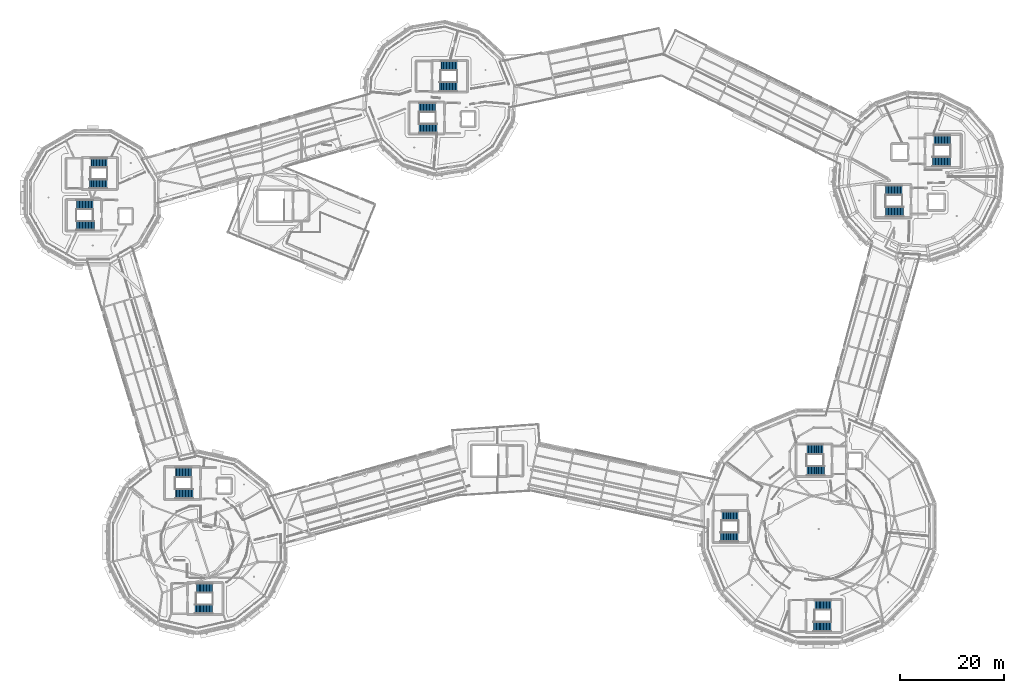
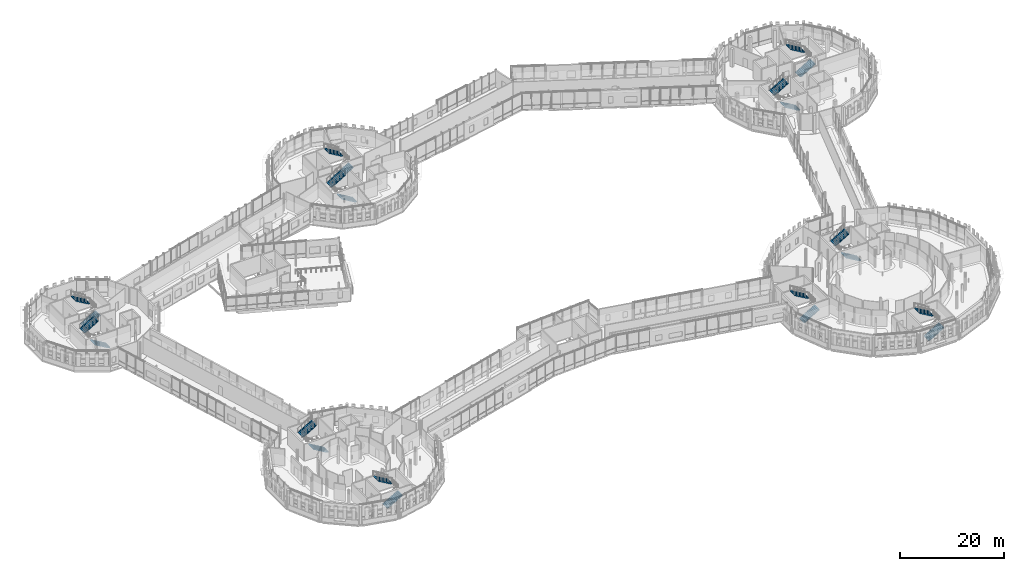
# One storey, part 104 of 125: 22 stair flights, 11 elements without a shape of their own.
"""IFC4 building model written with IfcOpenShell, lengths in metres."""

from ifc_helpers import new_model, si_unit, direction, frame, origin, place, context, subcontext, project, spatial, polyline, outline, extrude, material, type_object, element, aggregate, save


model = new_model("IFC4")

# Units and contexts
model_context = context("Model", 3, precision=1e-05, world=origin(), true_north=direction((0.0, 1.0)))
body_context = subcontext(model_context, "Body", "Model", "MODEL_VIEW")
ifc_project = project(units=[si_unit("LENGTHUNIT", "METRE"), si_unit("AREAUNIT", "SQUARE_METRE"), si_unit("VOLUMEUNIT", "CUBIC_METRE"), si_unit("PLANEANGLEUNIT", "RADIAN"), si_unit("MASSUNIT", "GRAM", prefix="KILO")], contexts=[model_context])

# Site, building, storey
site_placement = place(None, origin())
site = spatial("IfcSite", under=ifc_project, at=site_placement, CompositionType="ELEMENT")
building_placement = place(site_placement, origin())
building = spatial("IfcBuilding", under=site, at=building_placement, Name="Wrenclough Park School", CompositionType="ELEMENT")
storey_placement = place(building_placement, frame((0.0, 0.0, 4.199951171875)))
storey = spatial("IfcBuildingStorey", under=building, at=storey_placement, Name="L01", CompositionType="ELEMENT", Elevation=4.199951171875)

# Stair, stair flights
ifc_material = material(Name="Precast concrete C40/50", Category="concrete")
stair_type_1 = type_object("IfcStairType", Name="INT-ST-180-42", PredefinedType="HALF_TURN_STAIR", material=ifc_material)
stair_1_placement = place(storey_placement, origin())
stair_1 = element("IfcStair", 1, at=stair_1_placement, inside=storey, type_object=stair_type_1, Name="L01 escape stair ST-12", PredefinedType="HALF_TURN_STAIR")
stair_flight_type_1 = type_object("IfcStairFlightType", Name="INT-FL-180-168", PredefinedType="STRAIGHT", material=ifc_material)
stair_flight_1_placement = place(storey_placement, frame((136.659912109375, 24.5, 0.0), z_axis=(0.0, 0.0, 1.0), x_axis=(1.0, 0.0, 0.0)))
stair_flight_1 = element("IfcStairFlight", 2, at=stair_flight_1_placement, type_object=stair_flight_type_1, Name="ST-12 flight 1", NumberOfRisers=13, NumberOfTreads=12, PredefinedType="STRAIGHT", RiserHeight=0.168, TreadLength=0.285, context=body_context, shape_type="SweptSolid", body=[
    extrude(outline(polyline([(0.0, 0.0), (0.0, 0.16796875), (0.284912109375, 0.16796875), (0.284912109375, 0.3359375), (0.570068359375, 0.3359375), (0.570068359375, 0.50390625), (0.85498046875, 0.50390625), (0.85498046875, 0.672119140625), (1.139892578125, 0.672119140625), (1.139892578125, 0.840087890625), (1.425048828125, 0.840087890625), (1.425048828125, 1.008056640625), (1.7099609375, 1.008056640625), (1.7099609375, 1.176025390625), (1.9951171875, 1.176025390625), (1.9951171875, 1.343994140625), (2.280029296875, 1.343994140625), (2.280029296875, 1.511962890625), (2.56494140625, 1.511962890625), (2.56494140625, 1.679931640625), (2.85009765625, 1.679931640625), (2.85009765625, 1.847900390625), (3.135009765625, 1.847900390625), (3.135009765625, 2.01611328125), (3.419921875, 2.01611328125), (3.419921875, 2.18408203125), (3.419921875, 1.80712890625), (0.354248046875, 0.0), (0.0, 0.0)])), frame((0.0, 0.89990234375, 0.0), z_axis=(0.0, -1.0, 0.0), x_axis=(1.0, 0.0, 0.0)), (0.0, 0.0, 1.0), 1.800048828125),
])
stair_flight_2_placement = place(storey_placement, frame((140.080078125, 28.5, 2.18408203125), z_axis=(0.0, 0.0, 1.0), x_axis=(-1.0, 0.0, 0.0)))
stair_flight_2 = element("IfcStairFlight", 3, at=stair_flight_2_placement, type_object=stair_flight_type_1, Name="ST-12 flight 2", NumberOfRisers=12, NumberOfTreads=11, PredefinedType="STRAIGHT", RiserHeight=0.168, TreadLength=0.285, context=body_context, shape_type="SweptSolid", body=[
    extrude(outline(polyline([(0.0, 0.0), (0.0, 0.16796875), (0.284912109375, 0.16796875), (0.284912109375, 0.3359375), (0.570068359375, 0.3359375), (0.570068359375, 0.50390625), (0.85498046875, 0.50390625), (0.85498046875, 0.672119140625), (1.139892578125, 0.672119140625), (1.139892578125, 0.840087890625), (1.425048828125, 0.840087890625), (1.425048828125, 1.008056640625), (1.7099609375, 1.008056640625), (1.7099609375, 1.176025390625), (1.9951171875, 1.176025390625), (1.9951171875, 1.343994140625), (2.280029296875, 1.343994140625), (2.280029296875, 1.511962890625), (2.56494140625, 1.511962890625), (2.56494140625, 1.679931640625), (2.85009765625, 1.679931640625), (2.85009765625, 1.847900390625), (3.135009765625, 1.847900390625), (3.135009765625, 2.01611328125), (3.135009765625, 1.63916015625), (0.354248046875, 0.0), (0.0, 0.0)])), frame((0.0, 0.89990234375, 0.0), z_axis=(0.0, -1.0, 0.0), x_axis=(1.0, 0.0, 0.0)), (0.0, 0.0, 1.0), 1.800048828125),
])
aggregate(stair_1, [stair_flight_1, stair_flight_2])

stair_2_placement = place(storey_placement, origin())
stair_2 = element("IfcStair", 4, at=stair_2_placement, inside=storey, type_object=stair_type_1, Name="L01 escape stair ST-13", PredefinedType="HALF_TURN_STAIR")
stair_flight_3_placement = place(storey_placement, frame((36.06005859375, 10.699951171875, 0.0), z_axis=(0.0, 0.0, 1.0), x_axis=(1.0, 0.0, 0.0)))
stair_flight_3 = element("IfcStairFlight", 5, at=stair_flight_3_placement, type_object=stair_flight_type_1, Name="ST-13 flight 1", NumberOfRisers=13, NumberOfTreads=12, PredefinedType="STRAIGHT", RiserHeight=0.168, TreadLength=0.285, context=body_context, shape_type="SweptSolid", body=[
    extrude(outline(polyline([(0.0, 0.0), (0.0, 0.16796875), (0.284912109375, 0.16796875), (0.284912109375, 0.3359375), (0.570068359375, 0.3359375), (0.570068359375, 0.50390625), (0.85498046875, 0.50390625), (0.85498046875, 0.672119140625), (1.139892578125, 0.672119140625), (1.139892578125, 0.840087890625), (1.425048828125, 0.840087890625), (1.425048828125, 1.008056640625), (1.7099609375, 1.008056640625), (1.7099609375, 1.176025390625), (1.9951171875, 1.176025390625), (1.9951171875, 1.343994140625), (2.280029296875, 1.343994140625), (2.280029296875, 1.511962890625), (2.56494140625, 1.511962890625), (2.56494140625, 1.679931640625), (2.85009765625, 1.679931640625), (2.85009765625, 1.847900390625), (3.135009765625, 1.847900390625), (3.135009765625, 2.01611328125), (3.419921875, 2.01611328125), (3.419921875, 2.18408203125), (3.419921875, 1.80712890625), (0.354248046875, 0.0), (0.0, 0.0)])), frame((0.0, 0.89990234375, 0.0), z_axis=(0.0, -1.0, 0.0), x_axis=(1.0, 0.0, 0.0)), (0.0, 0.0, 1.0), 1.800048828125),
])
stair_flight_4_placement = place(storey_placement, frame((39.47998046875, 14.699951171875, 2.18408203125), z_axis=(0.0, 0.0, 1.0), x_axis=(-1.0, 0.0, 0.0)))
stair_flight_4 = element("IfcStairFlight", 6, at=stair_flight_4_placement, type_object=stair_flight_type_1, Name="ST-13 flight 2", NumberOfRisers=12, NumberOfTreads=11, PredefinedType="STRAIGHT", RiserHeight=0.168, TreadLength=0.285, context=body_context, shape_type="SweptSolid", body=[
    extrude(outline(polyline([(0.0, 0.0), (0.0, 0.16796875), (0.284912109375, 0.16796875), (0.284912109375, 0.3359375), (0.570068359375, 0.3359375), (0.570068359375, 0.50390625), (0.85498046875, 0.50390625), (0.85498046875, 0.672119140625), (1.139892578125, 0.672119140625), (1.139892578125, 0.840087890625), (1.425048828125, 0.840087890625), (1.425048828125, 1.008056640625), (1.7099609375, 1.008056640625), (1.7099609375, 1.176025390625), (1.9951171875, 1.176025390625), (1.9951171875, 1.343994140625), (2.280029296875, 1.343994140625), (2.280029296875, 1.511962890625), (2.56494140625, 1.511962890625), (2.56494140625, 1.679931640625), (2.85009765625, 1.679931640625), (2.85009765625, 1.847900390625), (3.135009765625, 1.847900390625), (3.135009765625, 2.01611328125), (3.135009765625, 1.63916015625), (0.354248046875, 0.0), (0.0, 0.0)])), frame((0.0, 0.89990234375, 0.0), z_axis=(0.0, -1.0, 0.0), x_axis=(1.0, 0.0, 0.0)), (0.0, 0.0, 1.0), 1.800048828125),
])
aggregate(stair_2, [stair_flight_3, stair_flight_4])

stair_3_placement = place(storey_placement, origin())
stair_3 = element("IfcStair", 7, at=stair_3_placement, inside=storey, type_object=stair_type_1, Name="L01 escape stair ST-03", PredefinedType="HALF_TURN_STAIR")
stair_flight_5_placement = place(storey_placement, frame((16.840087890625, 84.10009765625, 0.0), z_axis=(0.0, 0.0, 1.0), x_axis=(-1.0, 0.0, 0.0)))
stair_flight_5 = element("IfcStairFlight", 8, at=stair_flight_5_placement, type_object=stair_flight_type_1, Name="ST-03 flight 1", NumberOfRisers=13, NumberOfTreads=12, PredefinedType="STRAIGHT", RiserHeight=0.168, TreadLength=0.285, context=body_context, shape_type="SweptSolid", body=[
    extrude(outline(polyline([(0.0, 0.0), (0.0, 0.16796875), (0.284912109375, 0.16796875), (0.284912109375, 0.3359375), (0.570068359375, 0.3359375), (0.570068359375, 0.50390625), (0.85498046875, 0.50390625), (0.85498046875, 0.672119140625), (1.139892578125, 0.672119140625), (1.139892578125, 0.840087890625), (1.425048828125, 0.840087890625), (1.425048828125, 1.008056640625), (1.7099609375, 1.008056640625), (1.7099609375, 1.176025390625), (1.9951171875, 1.176025390625), (1.9951171875, 1.343994140625), (2.280029296875, 1.343994140625), (2.280029296875, 1.511962890625), (2.56494140625, 1.511962890625), (2.56494140625, 1.679931640625), (2.85009765625, 1.679931640625), (2.85009765625, 1.847900390625), (3.135009765625, 1.847900390625), (3.135009765625, 2.01611328125), (3.419921875, 2.01611328125), (3.419921875, 2.18408203125), (3.419921875, 1.80712890625), (0.354248046875, 0.0), (0.0, 0.0)])), frame((0.0, 0.89990234375, 0.0), z_axis=(0.0, -1.0, 0.0), x_axis=(1.0, 0.0, 0.0)), (0.0, 0.0, 1.0), 1.800048828125),
])
stair_flight_6_placement = place(storey_placement, frame((13.419921875, 88.10009765625, 2.18408203125), z_axis=(0.0, 0.0, 1.0), x_axis=(1.0, 0.0, 0.0)))
stair_flight_6 = element("IfcStairFlight", 9, at=stair_flight_6_placement, type_object=stair_flight_type_1, Name="ST-03 flight 2", NumberOfRisers=12, NumberOfTreads=11, PredefinedType="STRAIGHT", RiserHeight=0.168, TreadLength=0.285, context=body_context, shape_type="SweptSolid", body=[
    extrude(outline(polyline([(0.0, 0.0), (0.0, 0.16796875), (0.284912109375, 0.16796875), (0.284912109375, 0.3359375), (0.570068359375, 0.3359375), (0.570068359375, 0.50390625), (0.85498046875, 0.50390625), (0.85498046875, 0.672119140625), (1.139892578125, 0.672119140625), (1.139892578125, 0.840087890625), (1.425048828125, 0.840087890625), (1.425048828125, 1.008056640625), (1.7099609375, 1.008056640625), (1.7099609375, 1.176025390625), (1.9951171875, 1.176025390625), (1.9951171875, 1.343994140625), (2.280029296875, 1.343994140625), (2.280029296875, 1.511962890625), (2.56494140625, 1.511962890625), (2.56494140625, 1.679931640625), (2.85009765625, 1.679931640625), (2.85009765625, 1.847900390625), (3.135009765625, 1.847900390625), (3.135009765625, 2.01611328125), (3.135009765625, 1.63916015625), (0.354248046875, 0.0), (0.0, 0.0)])), frame((0.0, 0.89990234375, 0.0), z_axis=(0.0, -1.0, 0.0), x_axis=(1.0, 0.0, 0.0)), (0.0, 0.0, 1.0), 1.800048828125),
])
aggregate(stair_3, [stair_flight_5, stair_flight_6])

stair_4_placement = place(storey_placement, origin())
stair_4 = element("IfcStair", 10, at=stair_4_placement, inside=storey, type_object=stair_type_1, Name="L01 escape stair ST-07", PredefinedType="HALF_TURN_STAIR")
stair_flight_7_placement = place(storey_placement, frame((15.860107421875, 92.10009765625, 0.0), z_axis=(0.0, 0.0, 1.0), x_axis=(1.0, 0.0, 0.0)))
stair_flight_7 = element("IfcStairFlight", 11, at=stair_flight_7_placement, type_object=stair_flight_type_1, Name="ST-07 flight 1", NumberOfRisers=13, NumberOfTreads=12, PredefinedType="STRAIGHT", RiserHeight=0.168, TreadLength=0.285, context=body_context, shape_type="SweptSolid", body=[
    extrude(outline(polyline([(0.0, 0.0), (0.0, 0.16796875), (0.284912109375, 0.16796875), (0.284912109375, 0.3359375), (0.570068359375, 0.3359375), (0.570068359375, 0.50390625), (0.85498046875, 0.50390625), (0.85498046875, 0.672119140625), (1.139892578125, 0.672119140625), (1.139892578125, 0.840087890625), (1.425048828125, 0.840087890625), (1.425048828125, 1.008056640625), (1.7099609375, 1.008056640625), (1.7099609375, 1.176025390625), (1.9951171875, 1.176025390625), (1.9951171875, 1.343994140625), (2.280029296875, 1.343994140625), (2.280029296875, 1.511962890625), (2.56494140625, 1.511962890625), (2.56494140625, 1.679931640625), (2.85009765625, 1.679931640625), (2.85009765625, 1.847900390625), (3.135009765625, 1.847900390625), (3.135009765625, 2.01611328125), (3.419921875, 2.01611328125), (3.419921875, 2.18408203125), (3.419921875, 1.80712890625), (0.354248046875, 0.0), (0.0, 0.0)])), frame((0.0, 0.89990234375, 0.0), z_axis=(0.0, -1.0, 0.0), x_axis=(1.0, 0.0, 0.0)), (0.0, 0.0, 1.0), 1.800048828125),
])
stair_flight_8_placement = place(storey_placement, frame((19.280029296875, 96.10009765625, 2.18408203125), z_axis=(0.0, 0.0, 1.0), x_axis=(-1.0, 0.0, 0.0)))
stair_flight_8 = element("IfcStairFlight", 12, at=stair_flight_8_placement, type_object=stair_flight_type_1, Name="ST-07 flight 2", NumberOfRisers=12, NumberOfTreads=11, PredefinedType="STRAIGHT", RiserHeight=0.168, TreadLength=0.285, context=body_context, shape_type="SweptSolid", body=[
    extrude(outline(polyline([(0.0, 0.0), (0.0, 0.16796875), (0.284912109375, 0.16796875), (0.284912109375, 0.3359375), (0.570068359375, 0.3359375), (0.570068359375, 0.50390625), (0.85498046875, 0.50390625), (0.85498046875, 0.672119140625), (1.139892578125, 0.672119140625), (1.139892578125, 0.840087890625), (1.425048828125, 0.840087890625), (1.425048828125, 1.008056640625), (1.7099609375, 1.008056640625), (1.7099609375, 1.176025390625), (1.9951171875, 1.176025390625), (1.9951171875, 1.343994140625), (2.280029296875, 1.343994140625), (2.280029296875, 1.511962890625), (2.56494140625, 1.511962890625), (2.56494140625, 1.679931640625), (2.85009765625, 1.679931640625), (2.85009765625, 1.847900390625), (3.135009765625, 1.847900390625), (3.135009765625, 2.01611328125), (3.135009765625, 1.63916015625), (0.354248046875, 0.0), (0.0, 0.0)])), frame((0.0, 0.89990234375, 0.0), z_axis=(0.0, -1.0, 0.0), x_axis=(1.0, 0.0, 0.0)), (0.0, 0.0, 1.0), 1.800048828125),
])
aggregate(stair_4, [stair_flight_7, stair_flight_8])

stair_5_placement = place(storey_placement, origin())
stair_5 = element("IfcStair", 13, at=stair_5_placement, inside=storey, type_object=stair_type_1, Name="L01 escape stair ST-04", PredefinedType="HALF_TURN_STAIR")
stair_flight_9_placement = place(storey_placement, frame((82.43994140625, 102.699951171875, 0.0), z_axis=(0.0, 0.0, 1.0), x_axis=(-1.0, 0.0, 0.0)))
stair_flight_9 = element("IfcStairFlight", 14, at=stair_flight_9_placement, type_object=stair_flight_type_1, Name="ST-04 flight 1", NumberOfRisers=13, NumberOfTreads=12, PredefinedType="STRAIGHT", RiserHeight=0.168, TreadLength=0.285, context=body_context, shape_type="SweptSolid", body=[
    extrude(outline(polyline([(0.0, 0.0), (0.0, 0.16796875), (0.284912109375, 0.16796875), (0.284912109375, 0.3359375), (0.570068359375, 0.3359375), (0.570068359375, 0.50390625), (0.85498046875, 0.50390625), (0.85498046875, 0.672119140625), (1.139892578125, 0.672119140625), (1.139892578125, 0.840087890625), (1.425048828125, 0.840087890625), (1.425048828125, 1.008056640625), (1.7099609375, 1.008056640625), (1.7099609375, 1.176025390625), (1.9951171875, 1.176025390625), (1.9951171875, 1.343994140625), (2.280029296875, 1.343994140625), (2.280029296875, 1.511962890625), (2.56494140625, 1.511962890625), (2.56494140625, 1.679931640625), (2.85009765625, 1.679931640625), (2.85009765625, 1.847900390625), (3.135009765625, 1.847900390625), (3.135009765625, 2.01611328125), (3.419921875, 2.01611328125), (3.419921875, 2.18408203125), (3.419921875, 1.80712890625), (0.354248046875, 0.0), (0.0, 0.0)])), frame((0.0, 0.89990234375, 0.0), z_axis=(0.0, -1.0, 0.0), x_axis=(1.0, 0.0, 0.0)), (0.0, 0.0, 1.0), 1.800048828125),
])
stair_flight_10_placement = place(storey_placement, frame((79.02001953125, 106.699951171875, 2.18408203125), z_axis=(0.0, 0.0, 1.0), x_axis=(1.0, 0.0, 0.0)))
stair_flight_10 = element("IfcStairFlight", 15, at=stair_flight_10_placement, type_object=stair_flight_type_1, Name="ST-04 flight 2", NumberOfRisers=12, NumberOfTreads=11, PredefinedType="STRAIGHT", RiserHeight=0.168, TreadLength=0.285, context=body_context, shape_type="SweptSolid", body=[
    extrude(outline(polyline([(0.0, 0.0), (0.0, 0.16796875), (0.284912109375, 0.16796875), (0.284912109375, 0.3359375), (0.570068359375, 0.3359375), (0.570068359375, 0.50390625), (0.85498046875, 0.50390625), (0.85498046875, 0.672119140625), (1.139892578125, 0.672119140625), (1.139892578125, 0.840087890625), (1.425048828125, 0.840087890625), (1.425048828125, 1.008056640625), (1.7099609375, 1.008056640625), (1.7099609375, 1.176025390625), (1.9951171875, 1.176025390625), (1.9951171875, 1.343994140625), (2.280029296875, 1.343994140625), (2.280029296875, 1.511962890625), (2.56494140625, 1.511962890625), (2.56494140625, 1.679931640625), (2.85009765625, 1.679931640625), (2.85009765625, 1.847900390625), (3.135009765625, 1.847900390625), (3.135009765625, 2.01611328125), (3.135009765625, 1.63916015625), (0.354248046875, 0.0), (0.0, 0.0)])), frame((0.0, 0.89990234375, 0.0), z_axis=(0.0, -1.0, 0.0), x_axis=(1.0, 0.0, 0.0)), (0.0, 0.0, 1.0), 1.800048828125),
])
aggregate(stair_5, [stair_flight_9, stair_flight_10])

stair_6_placement = place(storey_placement, origin())
stair_6 = element("IfcStair", 16, at=stair_6_placement, inside=storey, type_object=stair_type_1, Name="L01 escape stair ST-08", PredefinedType="HALF_TURN_STAIR")
stair_flight_11_placement = place(storey_placement, frame((82.860107421875, 110.699951171875, 0.0), z_axis=(0.0, 0.0, 1.0), x_axis=(1.0, 0.0, 0.0)))
stair_flight_11 = element("IfcStairFlight", 17, at=stair_flight_11_placement, type_object=stair_flight_type_1, Name="ST-08 flight 1", NumberOfRisers=13, NumberOfTreads=12, PredefinedType="STRAIGHT", RiserHeight=0.168, TreadLength=0.285, context=body_context, shape_type="SweptSolid", body=[
    extrude(outline(polyline([(0.0, 0.0), (0.0, 0.16796875), (0.284912109375, 0.16796875), (0.284912109375, 0.3359375), (0.570068359375, 0.3359375), (0.570068359375, 0.50390625), (0.85498046875, 0.50390625), (0.85498046875, 0.672119140625), (1.139892578125, 0.672119140625), (1.139892578125, 0.840087890625), (1.425048828125, 0.840087890625), (1.425048828125, 1.008056640625), (1.7099609375, 1.008056640625), (1.7099609375, 1.176025390625), (1.9951171875, 1.176025390625), (1.9951171875, 1.343994140625), (2.280029296875, 1.343994140625), (2.280029296875, 1.511962890625), (2.56494140625, 1.511962890625), (2.56494140625, 1.679931640625), (2.85009765625, 1.679931640625), (2.85009765625, 1.847900390625), (3.135009765625, 1.847900390625), (3.135009765625, 2.01611328125), (3.419921875, 2.01611328125), (3.419921875, 2.18408203125), (3.419921875, 1.80712890625), (0.354248046875, 0.0), (0.0, 0.0)])), frame((0.0, 0.89990234375, 0.0), z_axis=(0.0, -1.0, 0.0), x_axis=(1.0, 0.0, 0.0)), (0.0, 0.0, 1.0), 1.800048828125),
])
stair_flight_12_placement = place(storey_placement, frame((86.280029296875, 114.699951171875, 2.18408203125), z_axis=(0.0, 0.0, 1.0), x_axis=(-1.0, 0.0, 0.0)))
stair_flight_12 = element("IfcStairFlight", 18, at=stair_flight_12_placement, type_object=stair_flight_type_1, Name="ST-08 flight 2", NumberOfRisers=12, NumberOfTreads=11, PredefinedType="STRAIGHT", RiserHeight=0.168, TreadLength=0.285, context=body_context, shape_type="SweptSolid", body=[
    extrude(outline(polyline([(0.0, 0.0), (0.0, 0.16796875), (0.284912109375, 0.16796875), (0.284912109375, 0.3359375), (0.570068359375, 0.3359375), (0.570068359375, 0.50390625), (0.85498046875, 0.50390625), (0.85498046875, 0.672119140625), (1.139892578125, 0.672119140625), (1.139892578125, 0.840087890625), (1.425048828125, 0.840087890625), (1.425048828125, 1.008056640625), (1.7099609375, 1.008056640625), (1.7099609375, 1.176025390625), (1.9951171875, 1.176025390625), (1.9951171875, 1.343994140625), (2.280029296875, 1.343994140625), (2.280029296875, 1.511962890625), (2.56494140625, 1.511962890625), (2.56494140625, 1.679931640625), (2.85009765625, 1.679931640625), (2.85009765625, 1.847900390625), (3.135009765625, 1.847900390625), (3.135009765625, 2.01611328125), (3.135009765625, 1.63916015625), (0.354248046875, 0.0), (0.0, 0.0)])), frame((0.0, 0.89990234375, 0.0), z_axis=(0.0, -1.0, 0.0), x_axis=(1.0, 0.0, 0.0)), (0.0, 0.0, 1.0), 1.800048828125),
])
aggregate(stair_6, [stair_flight_11, stair_flight_12])

stair_type_2 = type_object("IfcStairType", Name="INT-ST-190-42", PredefinedType="HALF_TURN_STAIR", material=ifc_material)
stair_7_placement = place(storey_placement, origin())
stair_7 = element("IfcStair", 19, at=stair_7_placement, inside=storey, type_object=stair_type_2, Name="L01 escape stair ST-01", PredefinedType="HALF_TURN_STAIR")
stair_flight_type_2 = type_object("IfcStairFlightType", Name="INT-FL-190-168", PredefinedType="STRAIGHT", material=ifc_material)
stair_flight_13_placement = place(storey_placement, frame((156.639892578125, 37.14990234375, 0.0), z_axis=(0.0, 0.0, 1.0), x_axis=(-1.0, 0.0, 0.0)))
stair_flight_13 = element("IfcStairFlight", 20, at=stair_flight_13_placement, type_object=stair_flight_type_2, Name="ST-01 flight 1", NumberOfRisers=13, NumberOfTreads=12, PredefinedType="STRAIGHT", RiserHeight=0.168, TreadLength=0.285, context=body_context, shape_type="SweptSolid", body=[
    extrude(outline(polyline([(0.0, 0.0), (0.0, 0.16796875), (0.284912109375, 0.16796875), (0.284912109375, 0.3359375), (0.570068359375, 0.3359375), (0.570068359375, 0.50390625), (0.85498046875, 0.50390625), (0.85498046875, 0.672119140625), (1.139892578125, 0.672119140625), (1.139892578125, 0.840087890625), (1.425048828125, 0.840087890625), (1.425048828125, 1.008056640625), (1.7099609375, 1.008056640625), (1.7099609375, 1.176025390625), (1.9951171875, 1.176025390625), (1.9951171875, 1.343994140625), (2.280029296875, 1.343994140625), (2.280029296875, 1.511962890625), (2.56494140625, 1.511962890625), (2.56494140625, 1.679931640625), (2.85009765625, 1.679931640625), (2.85009765625, 1.847900390625), (3.135009765625, 1.847900390625), (3.135009765625, 2.01611328125), (3.419921875, 2.01611328125), (3.419921875, 2.18408203125), (3.419921875, 1.80126953125), (0.364501953125, 0.0), (0.0, 0.0)])), frame((0.0, 0.949951171875, 0.0), z_axis=(0.0, -1.0, 0.0), x_axis=(1.0, 0.0, 0.0)), (0.0, 0.0, 1.0), 1.89990234375),
])
stair_flight_14_placement = place(storey_placement, frame((153.219970703125, 41.25, 2.18408203125), z_axis=(0.0, 0.0, 1.0), x_axis=(1.0, 0.0, 0.0)))
stair_flight_14 = element("IfcStairFlight", 21, at=stair_flight_14_placement, type_object=stair_flight_type_2, Name="ST-01 flight 2", NumberOfRisers=12, NumberOfTreads=11, PredefinedType="STRAIGHT", RiserHeight=0.168, TreadLength=0.285, context=body_context, shape_type="SweptSolid", body=[
    extrude(outline(polyline([(0.0, 0.0), (0.0, 0.16796875), (0.284912109375, 0.16796875), (0.284912109375, 0.3359375), (0.570068359375, 0.3359375), (0.570068359375, 0.50390625), (0.85498046875, 0.50390625), (0.85498046875, 0.672119140625), (1.139892578125, 0.672119140625), (1.139892578125, 0.840087890625), (1.425048828125, 0.840087890625), (1.425048828125, 1.008056640625), (1.7099609375, 1.008056640625), (1.7099609375, 1.176025390625), (1.9951171875, 1.176025390625), (1.9951171875, 1.343994140625), (2.280029296875, 1.343994140625), (2.280029296875, 1.511962890625), (2.56494140625, 1.511962890625), (2.56494140625, 1.679931640625), (2.85009765625, 1.679931640625), (2.85009765625, 1.847900390625), (3.135009765625, 1.847900390625), (3.135009765625, 2.01611328125), (3.135009765625, 1.63330078125), (0.364501953125, 0.0), (0.0, 0.0)])), frame((0.0, 0.949951171875, 0.0), z_axis=(0.0, -1.0, 0.0), x_axis=(1.0, 0.0, 0.0)), (0.0, 0.0, 1.0), 1.89990234375),
])
aggregate(stair_7, [stair_flight_13, stair_flight_14])

stair_8_placement = place(storey_placement, origin())
stair_8 = element("IfcStair", 22, at=stair_8_placement, inside=storey, type_object=stair_type_2, Name="L01 escape stair ST-09", PredefinedType="HALF_TURN_STAIR")
stair_flight_15_placement = place(storey_placement, frame((154.4599609375, 7.35009765625, 0.0), z_axis=(0.0, 0.0, 1.0), x_axis=(1.0, 0.0, 0.0)))
stair_flight_15 = element("IfcStairFlight", 23, at=stair_flight_15_placement, type_object=stair_flight_type_2, Name="ST-09 flight 1", NumberOfRisers=13, NumberOfTreads=12, PredefinedType="STRAIGHT", RiserHeight=0.168, TreadLength=0.285, context=body_context, shape_type="SweptSolid", body=[
    extrude(outline(polyline([(0.0, 0.0), (0.0, 0.16796875), (0.284912109375, 0.16796875), (0.284912109375, 0.3359375), (0.570068359375, 0.3359375), (0.570068359375, 0.50390625), (0.85498046875, 0.50390625), (0.85498046875, 0.672119140625), (1.139892578125, 0.672119140625), (1.139892578125, 0.840087890625), (1.425048828125, 0.840087890625), (1.425048828125, 1.008056640625), (1.7099609375, 1.008056640625), (1.7099609375, 1.176025390625), (1.9951171875, 1.176025390625), (1.9951171875, 1.343994140625), (2.280029296875, 1.343994140625), (2.280029296875, 1.511962890625), (2.56494140625, 1.511962890625), (2.56494140625, 1.679931640625), (2.85009765625, 1.679931640625), (2.85009765625, 1.847900390625), (3.135009765625, 1.847900390625), (3.135009765625, 2.01611328125), (3.419921875, 2.01611328125), (3.419921875, 2.18408203125), (3.419921875, 1.80126953125), (0.364501953125, 0.0), (0.0, 0.0)])), frame((0.0, 0.949951171875, 0.0), z_axis=(0.0, -1.0, 0.0), x_axis=(1.0, 0.0, 0.0)), (0.0, 0.0, 1.0), 1.89990234375),
])
stair_flight_16_placement = place(storey_placement, frame((157.8798828125, 11.449951171875, 2.18408203125), z_axis=(0.0, 0.0, 1.0), x_axis=(-1.0, 0.0, 0.0)))
stair_flight_16 = element("IfcStairFlight", 24, at=stair_flight_16_placement, type_object=stair_flight_type_2, Name="ST-09 flight 2", NumberOfRisers=12, NumberOfTreads=11, PredefinedType="STRAIGHT", RiserHeight=0.168, TreadLength=0.285, context=body_context, shape_type="SweptSolid", body=[
    extrude(outline(polyline([(0.0, 0.0), (0.0, 0.16796875), (0.284912109375, 0.16796875), (0.284912109375, 0.3359375), (0.570068359375, 0.3359375), (0.570068359375, 0.50390625), (0.85498046875, 0.50390625), (0.85498046875, 0.672119140625), (1.139892578125, 0.672119140625), (1.139892578125, 0.840087890625), (1.425048828125, 0.840087890625), (1.425048828125, 1.008056640625), (1.7099609375, 1.008056640625), (1.7099609375, 1.176025390625), (1.9951171875, 1.176025390625), (1.9951171875, 1.343994140625), (2.280029296875, 1.343994140625), (2.280029296875, 1.511962890625), (2.56494140625, 1.511962890625), (2.56494140625, 1.679931640625), (2.85009765625, 1.679931640625), (2.85009765625, 1.847900390625), (3.135009765625, 1.847900390625), (3.135009765625, 2.01611328125), (3.135009765625, 1.63330078125), (0.364501953125, 0.0), (0.0, 0.0)])), frame((0.0, 0.949951171875, 0.0), z_axis=(0.0, -1.0, 0.0), x_axis=(1.0, 0.0, 0.0)), (0.0, 0.0, 1.0), 1.89990234375),
])
aggregate(stair_8, [stair_flight_15, stair_flight_16])

stair_9_placement = place(storey_placement, origin())
stair_9 = element("IfcStair", 25, at=stair_9_placement, inside=storey, type_object=stair_type_2, Name="L01 escape stair ST-02", PredefinedType="HALF_TURN_STAIR")
stair_flight_17_placement = place(storey_placement, frame((35.739990234375, 32.75, 0.0), z_axis=(0.0, 0.0, 1.0), x_axis=(-1.0, 0.0, 0.0)))
stair_flight_17 = element("IfcStairFlight", 26, at=stair_flight_17_placement, type_object=stair_flight_type_2, Name="ST-02 flight 1", NumberOfRisers=13, NumberOfTreads=12, PredefinedType="STRAIGHT", RiserHeight=0.168, TreadLength=0.285, context=body_context, shape_type="SweptSolid", body=[
    extrude(outline(polyline([(0.0, 0.0), (0.0, 0.16796875), (0.284912109375, 0.16796875), (0.284912109375, 0.3359375), (0.570068359375, 0.3359375), (0.570068359375, 0.50390625), (0.85498046875, 0.50390625), (0.85498046875, 0.672119140625), (1.139892578125, 0.672119140625), (1.139892578125, 0.840087890625), (1.425048828125, 0.840087890625), (1.425048828125, 1.008056640625), (1.7099609375, 1.008056640625), (1.7099609375, 1.176025390625), (1.9951171875, 1.176025390625), (1.9951171875, 1.343994140625), (2.280029296875, 1.343994140625), (2.280029296875, 1.511962890625), (2.56494140625, 1.511962890625), (2.56494140625, 1.679931640625), (2.85009765625, 1.679931640625), (2.85009765625, 1.847900390625), (3.135009765625, 1.847900390625), (3.135009765625, 2.01611328125), (3.419921875, 2.01611328125), (3.419921875, 2.18408203125), (3.419921875, 1.80126953125), (0.364501953125, 0.0), (0.0, 0.0)])), frame((0.0, 0.949951171875, 0.0), z_axis=(0.0, -1.0, 0.0), x_axis=(1.0, 0.0, 0.0)), (0.0, 0.0, 1.0), 1.89990234375),
])
stair_flight_18_placement = place(storey_placement, frame((32.320068359375, 36.85009765625, 2.18408203125), z_axis=(0.0, 0.0, 1.0), x_axis=(1.0, 0.0, 0.0)))
stair_flight_18 = element("IfcStairFlight", 27, at=stair_flight_18_placement, type_object=stair_flight_type_2, Name="ST-02 flight 2", NumberOfRisers=12, NumberOfTreads=11, PredefinedType="STRAIGHT", RiserHeight=0.168, TreadLength=0.285, context=body_context, shape_type="SweptSolid", body=[
    extrude(outline(polyline([(0.0, 0.0), (0.0, 0.16796875), (0.284912109375, 0.16796875), (0.284912109375, 0.3359375), (0.570068359375, 0.3359375), (0.570068359375, 0.50390625), (0.85498046875, 0.50390625), (0.85498046875, 0.672119140625), (1.139892578125, 0.672119140625), (1.139892578125, 0.840087890625), (1.425048828125, 0.840087890625), (1.425048828125, 1.008056640625), (1.7099609375, 1.008056640625), (1.7099609375, 1.176025390625), (1.9951171875, 1.176025390625), (1.9951171875, 1.343994140625), (2.280029296875, 1.343994140625), (2.280029296875, 1.511962890625), (2.56494140625, 1.511962890625), (2.56494140625, 1.679931640625), (2.85009765625, 1.679931640625), (2.85009765625, 1.847900390625), (3.135009765625, 1.847900390625), (3.135009765625, 2.01611328125), (3.135009765625, 1.63330078125), (0.364501953125, 0.0), (0.0, 0.0)])), frame((0.0, 0.949951171875, 0.0), z_axis=(0.0, -1.0, 0.0), x_axis=(1.0, 0.0, 0.0)), (0.0, 0.0, 1.0), 1.89990234375),
])
aggregate(stair_9, [stair_flight_17, stair_flight_18])

stair_10_placement = place(storey_placement, origin())
stair_10 = element("IfcStair", 28, at=stair_10_placement, inside=storey, type_object=stair_type_2, Name="L01 escape stair ST-05", PredefinedType="HALF_TURN_STAIR")
stair_flight_19_placement = place(storey_placement, frame((171.739990234375, 86.75, 0.0), z_axis=(0.0, 0.0, 1.0), x_axis=(-1.0, 0.0, 0.0)))
stair_flight_19 = element("IfcStairFlight", 29, at=stair_flight_19_placement, type_object=stair_flight_type_2, Name="ST-05 flight 1", NumberOfRisers=13, NumberOfTreads=12, PredefinedType="STRAIGHT", RiserHeight=0.168, TreadLength=0.285, context=body_context, shape_type="SweptSolid", body=[
    extrude(outline(polyline([(0.0, 0.0), (0.0, 0.16796875), (0.284912109375, 0.16796875), (0.284912109375, 0.3359375), (0.570068359375, 0.3359375), (0.570068359375, 0.50390625), (0.85498046875, 0.50390625), (0.85498046875, 0.672119140625), (1.139892578125, 0.672119140625), (1.139892578125, 0.840087890625), (1.425048828125, 0.840087890625), (1.425048828125, 1.008056640625), (1.7099609375, 1.008056640625), (1.7099609375, 1.176025390625), (1.9951171875, 1.176025390625), (1.9951171875, 1.343994140625), (2.280029296875, 1.343994140625), (2.280029296875, 1.511962890625), (2.56494140625, 1.511962890625), (2.56494140625, 1.679931640625), (2.85009765625, 1.679931640625), (2.85009765625, 1.847900390625), (3.135009765625, 1.847900390625), (3.135009765625, 2.01611328125), (3.419921875, 2.01611328125), (3.419921875, 2.18408203125), (3.419921875, 1.80126953125), (0.364501953125, 0.0), (0.0, 0.0)])), frame((0.0, 0.949951171875, 0.0), z_axis=(0.0, -1.0, 0.0), x_axis=(1.0, 0.0, 0.0)), (0.0, 0.0, 1.0), 1.89990234375),
])
stair_flight_20_placement = place(storey_placement, frame((168.320068359375, 90.85009765625, 2.18408203125), z_axis=(0.0, 0.0, 1.0), x_axis=(1.0, 0.0, 0.0)))
stair_flight_20 = element("IfcStairFlight", 30, at=stair_flight_20_placement, type_object=stair_flight_type_2, Name="ST-05 flight 2", NumberOfRisers=12, NumberOfTreads=11, PredefinedType="STRAIGHT", RiserHeight=0.168, TreadLength=0.285, context=body_context, shape_type="SweptSolid", body=[
    extrude(outline(polyline([(0.0, 0.0), (0.0, 0.16796875), (0.284912109375, 0.16796875), (0.284912109375, 0.3359375), (0.570068359375, 0.3359375), (0.570068359375, 0.50390625), (0.85498046875, 0.50390625), (0.85498046875, 0.672119140625), (1.139892578125, 0.672119140625), (1.139892578125, 0.840087890625), (1.425048828125, 0.840087890625), (1.425048828125, 1.008056640625), (1.7099609375, 1.008056640625), (1.7099609375, 1.176025390625), (1.9951171875, 1.176025390625), (1.9951171875, 1.343994140625), (2.280029296875, 1.343994140625), (2.280029296875, 1.511962890625), (2.56494140625, 1.511962890625), (2.56494140625, 1.679931640625), (2.85009765625, 1.679931640625), (2.85009765625, 1.847900390625), (3.135009765625, 1.847900390625), (3.135009765625, 2.01611328125), (3.135009765625, 1.63330078125), (0.364501953125, 0.0), (0.0, 0.0)])), frame((0.0, 0.949951171875, 0.0), z_axis=(0.0, -1.0, 0.0), x_axis=(1.0, 0.0, 0.0)), (0.0, 0.0, 1.0), 1.89990234375),
])
aggregate(stair_10, [stair_flight_19, stair_flight_20])

stair_11_placement = place(storey_placement, origin())
stair_11 = element("IfcStair", 31, at=stair_11_placement, inside=storey, type_object=stair_type_2, Name="L01 escape stair ST-06", PredefinedType="HALF_TURN_STAIR")
stair_flight_21_placement = place(storey_placement, frame((177.260009765625, 96.35009765625, 0.0), z_axis=(0.0, 0.0, 1.0), x_axis=(1.0, 0.0, 0.0)))
stair_flight_21 = element("IfcStairFlight", 32, at=stair_flight_21_placement, type_object=stair_flight_type_2, Name="ST-06 flight 1", NumberOfRisers=13, NumberOfTreads=12, PredefinedType="STRAIGHT", RiserHeight=0.168, TreadLength=0.285, context=body_context, shape_type="SweptSolid", body=[
    extrude(outline(polyline([(0.0, 0.0), (0.0, 0.16796875), (0.284912109375, 0.16796875), (0.284912109375, 0.3359375), (0.570068359375, 0.3359375), (0.570068359375, 0.50390625), (0.85498046875, 0.50390625), (0.85498046875, 0.672119140625), (1.139892578125, 0.672119140625), (1.139892578125, 0.840087890625), (1.425048828125, 0.840087890625), (1.425048828125, 1.008056640625), (1.7099609375, 1.008056640625), (1.7099609375, 1.176025390625), (1.9951171875, 1.176025390625), (1.9951171875, 1.343994140625), (2.280029296875, 1.343994140625), (2.280029296875, 1.511962890625), (2.56494140625, 1.511962890625), (2.56494140625, 1.679931640625), (2.85009765625, 1.679931640625), (2.85009765625, 1.847900390625), (3.135009765625, 1.847900390625), (3.135009765625, 2.01611328125), (3.419921875, 2.01611328125), (3.419921875, 2.18408203125), (3.419921875, 1.80126953125), (0.364501953125, 0.0), (0.0, 0.0)])), frame((0.0, 0.949951171875, 0.0), z_axis=(0.0, -1.0, 0.0), x_axis=(1.0, 0.0, 0.0)), (0.0, 0.0, 1.0), 1.89990234375),
])
stair_flight_22_placement = place(storey_placement, frame((180.679931640625, 100.449951171875, 2.18408203125), z_axis=(0.0, 0.0, 1.0), x_axis=(-1.0, 0.0, 0.0)))
stair_flight_22 = element("IfcStairFlight", 33, at=stair_flight_22_placement, type_object=stair_flight_type_2, Name="ST-06 flight 2", NumberOfRisers=12, NumberOfTreads=11, PredefinedType="STRAIGHT", RiserHeight=0.168, TreadLength=0.285, context=body_context, shape_type="SweptSolid", body=[
    extrude(outline(polyline([(0.0, 0.0), (0.0, 0.16796875), (0.284912109375, 0.16796875), (0.284912109375, 0.3359375), (0.570068359375, 0.3359375), (0.570068359375, 0.50390625), (0.85498046875, 0.50390625), (0.85498046875, 0.672119140625), (1.139892578125, 0.672119140625), (1.139892578125, 0.840087890625), (1.425048828125, 0.840087890625), (1.425048828125, 1.008056640625), (1.7099609375, 1.008056640625), (1.7099609375, 1.176025390625), (1.9951171875, 1.176025390625), (1.9951171875, 1.343994140625), (2.280029296875, 1.343994140625), (2.280029296875, 1.511962890625), (2.56494140625, 1.511962890625), (2.56494140625, 1.679931640625), (2.85009765625, 1.679931640625), (2.85009765625, 1.847900390625), (3.135009765625, 1.847900390625), (3.135009765625, 2.01611328125), (3.135009765625, 1.63330078125), (0.364501953125, 0.0), (0.0, 0.0)])), frame((0.0, 0.949951171875, 0.0), z_axis=(0.0, -1.0, 0.0), x_axis=(1.0, 0.0, 0.0)), (0.0, 0.0, 1.0), 1.89990234375),
])
aggregate(stair_11, [stair_flight_21, stair_flight_22])

save(model, "model.ifc")
